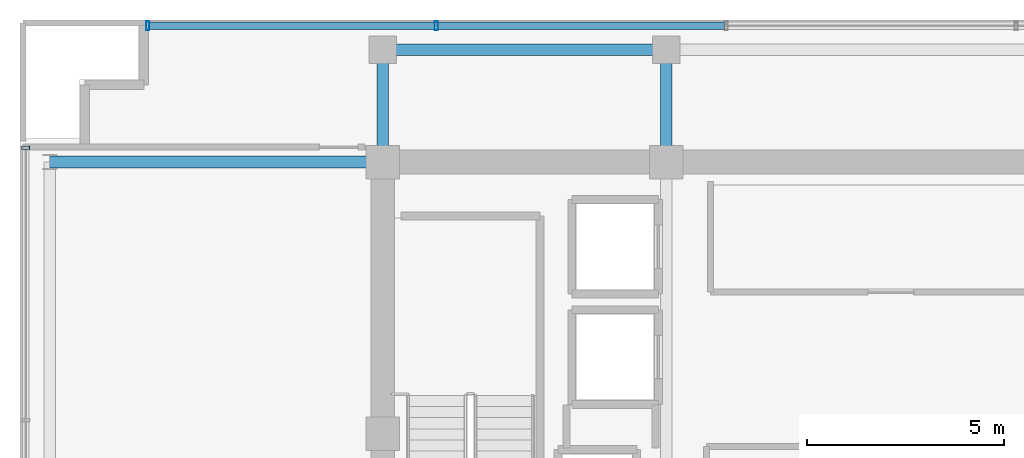
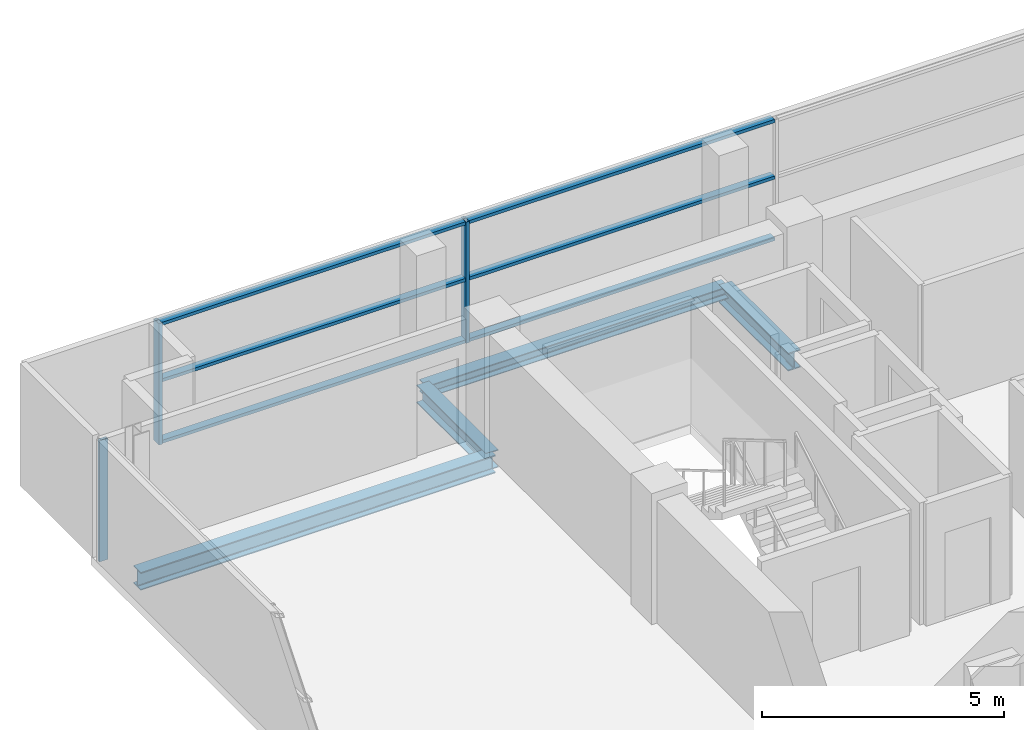
# One storey, part 12 of 23: 9 members, 4 beams, 2 elements without a shape of their own.
"""IFC4 building model written with IfcOpenShell, lengths in metres."""

from ifc_helpers import new_model, si_unit, direction, frame, origin, origin_2d, place, context, subcontext, project, spatial, hollow_rectangle, i_section, extrude, source, transform, mapped, material, layer, layer_set, material_profile, profile_set, type_object, element, aggregate, save


model = new_model("IFC4")

# Units and contexts
model_context = context("Model", 3, precision=1e-05, world=origin(), true_north=direction((0.0, 1.0)))
body_context = subcontext(model_context, "Body", "Model", "MODEL_VIEW")
ifc_project = project(units=[si_unit("LENGTHUNIT", "METRE"), si_unit("AREAUNIT", "SQUARE_METRE"), si_unit("VOLUMEUNIT", "CUBIC_METRE"), si_unit("PLANEANGLEUNIT", "RADIAN"), si_unit("MASSUNIT", "GRAM", prefix="KILO")], contexts=[model_context])

# Site, building, storey
site_placement = place(None, origin())
site = spatial("IfcSite", under=ifc_project, at=site_placement, CompositionType="ELEMENT")
building_placement = place(site_placement, origin())
building = spatial("IfcBuilding", under=site, at=building_placement, Name="Zarnakvel Exchange Tower", CompositionType="ELEMENT")
storey_placement = place(building_placement, frame((0.0, 0.0, 218.800048828125)))
storey = spatial("IfcBuildingStorey", under=building, at=storey_placement, Name="L61", CompositionType="ELEMENT", Elevation=218.800048828125)

# Beams
ifc_material_1 = material(Name="Steel S355", Category="steel")
ifc_material_profile_1 = material_profile(ifc_material_1, i_section(OverallWidth=0.300048828125, OverallDepth=0.449951171875, WebThickness=0.013916015625, FlangeThickness=0.02587890625, FilletRadius=0.027099609375, at=origin_2d()))
ifc_profile_set_1 = profile_set([ifc_material_profile_1], Name="Steel S355")
beam_type_1 = type_object("IfcBeamType", Name="G-07", PredefinedType="BEAM", material=ifc_profile_set_1)
beam_1_placement = place(storey_placement, frame((-22.85009765625, 13.5, -0.449951171875), z_axis=(1.0, 0.0, 0.0), x_axis=(0.0, 1.0, 0.0)))
element("IfcBeam", 1, at=beam_1_placement, inside=storey, type_object=beam_type_1, Name="L61 Tower E-W Frame Beam", PredefinedType="BEAM", context=body_context, shape_type="SweptSolid", body=[
    extrude(i_section(OverallWidth=0.300048828125, OverallDepth=0.449951171875, WebThickness=0.013916015625, FlangeThickness=0.02587890625, FilletRadius=0.027099609375, at=origin_2d()), origin(), (0.0, 0.0, 1.0), 8.4501953125),
])
for number, where, z_axis, x_axis, name in (
    (2, (-14.39990234375, 13.5, -0.449951171875), (0.0, 1.0, 0.0), (-1.0, 0.0, 0.0), "L61 Tower N-S Frame Beam"),
    (3, (-7.199951171875, 13.5, -0.449951171875), (0.0, 1.0, 0.0), (-1.0, 0.0, 0.0), "L61 Tower N-S Frame Beam"),
):
    element("IfcBeam", number, at=place(storey_placement, frame(where, z_axis=z_axis, x_axis=x_axis)), inside=storey, type_object=beam_type_1, Name=name, PredefinedType="BEAM", context=body_context, shape_type="SweptSolid", body=[
        extrude(i_section(OverallWidth=0.300048828125, OverallDepth=0.449951171875, WebThickness=0.013916015625, FlangeThickness=0.02587890625, FilletRadius=0.027099609375, at=origin_2d()), origin(), (0.0, 0.0, 1.0), 2.85009765625),
    ])
ifc_material_profile_2 = material_profile(ifc_material_1, i_section(OverallWidth=0.300048828125, OverallDepth=0.300048828125, WebThickness=0.010986328125, FlangeThickness=0.01904296875, FilletRadius=0.027099609375, at=origin_2d()))
ifc_profile_set_2 = profile_set([ifc_material_profile_2], Name="Steel S355")
beam_type_2 = type_object("IfcBeamType", Name="SP-03", PredefinedType="SPANDREL", material=ifc_profile_set_2)
beam_2_placement = place(storey_placement, frame((-14.39990234375, 16.35009765625, -0.375), z_axis=(1.0, 0.0, 0.0), x_axis=(0.0, 1.0, 0.0)))
element("IfcBeam", 4, at=beam_2_placement, inside=storey, type_object=beam_type_2, Name="L61 Tower E-W Frame Beam", PredefinedType="SPANDREL", context=body_context, shape_type="SweptSolid", body=[
    extrude(i_section(OverallWidth=0.300048828125, OverallDepth=0.300048828125, WebThickness=0.010986328125, FlangeThickness=0.01904296875, FilletRadius=0.027099609375, at=origin_2d()), origin(), (0.0, 0.0, 1.0), 7.199951171875),
])

# Curtain wall, member
ifc_material_2 = material(Name="Architectural Bronze Anodised Aluminium", Category="aluminium")
ifc_layer_1 = layer(ifc_material_2, 0.199951171875)
ifc_layer_set_1 = layer_set([ifc_layer_1], Name="Architectural Bronze Anodised Aluminium")
curtain_wall_type_1 = type_object("IfcCurtainWallType", Name="CW-04", PredefinedType="NOTDEFINED", material=ifc_layer_set_1)
curtain_wall_1_placement = place(storey_placement, origin())
curtain_wall_1 = element("IfcCurtainWall", 5, at=curtain_wall_1_placement, inside=storey, type_object=curtain_wall_type_1, Name="L61 Curtain Wall CW-L61-W1 (CW-04)", PredefinedType="NOTDEFINED")
ifc_material_profile_3 = material_profile(ifc_material_2, hollow_rectangle(XDim=0.199951171875, YDim=0.074951171875, WallThickness=0.0048828125, at=origin_2d()))
ifc_profile_set_3 = profile_set([ifc_material_profile_3], Name="Architectural Bronze Anodised Aluminium")
member_type_1 = type_object("IfcMemberType", Name="CWM-04", PredefinedType="MULLION", material=ifc_profile_set_3)
shared_shape_1 = source(origin(), body_context, "Body", "SweptSolid", [
    extrude(hollow_rectangle(XDim=0.199951171875, YDim=0.074951171875, WallThickness=0.0048828125, at=origin_2d()), origin(), (0.0, 0.0, 1.0), 3.054931640625),
])
member_1_placement = place(storey_placement, frame((-23.4599609375, 13.862548828125, 0.0), z_axis=(0.0, 0.0, 1.0), x_axis=(-1.0, 0.0, 0.0)))
member_1 = element("IfcMember", 6, at=member_1_placement, type_object=member_type_1, Name="CW-04 mullion 5", PredefinedType="MULLION", context=body_context, shape_type="MappedRepresentation", body=[
    mapped(shared_shape_1, transform((0.0, 0.0, 0.0), x_axis=(1.0, 0.0, 0.0), y_axis=(0.0, 1.0, 0.0), z_axis=(0.0, 0.0, 1.0), scale=1.0)),
])
aggregate(curtain_wall_1, [member_1])

# Curtain wall, members
ifc_layer_2 = layer(ifc_material_2, 0.219970703125)
ifc_layer_set_2 = layer_set([ifc_layer_2], Name="Architectural Bronze Anodised Aluminium")
curtain_wall_type_2 = type_object("IfcCurtainWallType", Name="CW-03", PredefinedType="NOTDEFINED", material=ifc_layer_set_2)
curtain_wall_2_placement = place(storey_placement, origin())
curtain_wall_2 = element("IfcCurtainWall", 7, at=curtain_wall_2_placement, inside=storey, type_object=curtain_wall_type_2, Name="L61 Curtain Wall CW-L61-N1 (CW-03)", PredefinedType="NOTDEFINED")
ifc_material_profile_4 = material_profile(ifc_material_2, hollow_rectangle(XDim=0.219970703125, YDim=0.080078125, WallThickness=0.0048828125, at=origin_2d()))
ifc_profile_set_4 = profile_set([ifc_material_profile_4], Name="Architectural Bronze Anodised Aluminium")
member_type_2 = type_object("IfcMemberType", Name="CWM-03", PredefinedType="MULLION", material=ifc_profile_set_4)
shared_shape_2 = source(origin(), body_context, "Body", "SweptSolid", [
    extrude(hollow_rectangle(XDim=0.219970703125, YDim=0.080078125, WallThickness=0.0048828125, at=origin_2d()), origin(), (0.0, 0.0, 1.0), 3.054931640625),
])
member_2_placement = place(storey_placement, frame((-20.360107421875, 16.9599609375, 0.0), z_axis=(0.0, 0.0, 1.0), x_axis=(0.0, 1.0, 0.0)))
member_2 = element("IfcMember", 8, at=member_2_placement, type_object=member_type_2, Name="CW-03 mullion 1", PredefinedType="MULLION", context=body_context, shape_type="MappedRepresentation", body=[
    mapped(shared_shape_2, transform((0.0, 0.0, 0.0), x_axis=(1.0, 0.0, 0.0), y_axis=(0.0, 1.0, 0.0), z_axis=(0.0, 0.0, 1.0), scale=1.0)),
])
member_3_placement = place(storey_placement, frame((-13.0400390625, 16.9599609375, 0.0), z_axis=(0.0, 0.0, 1.0), x_axis=(0.0, 1.0, 0.0)))
member_3 = element("IfcMember", 9, at=member_3_placement, type_object=member_type_2, Name="CW-03 mullion 2", PredefinedType="MULLION", context=body_context, shape_type="MappedRepresentation", body=[
    mapped(shared_shape_2, transform((0.0, 0.0, 0.0), x_axis=(1.0, 0.0, 0.0), y_axis=(0.0, 1.0, 0.0), z_axis=(0.0, 0.0, 1.0), scale=1.0)),
])
ifc_material_profile_5 = material_profile(ifc_material_2, hollow_rectangle(XDim=0.179931640625, YDim=0.080078125, WallThickness=0.00390625, at=origin_2d()))
ifc_profile_set_5 = profile_set([ifc_material_profile_5], Name="Architectural Bronze Anodised Aluminium")
member_type_3 = type_object("IfcMemberType", Name="CWT-03", PredefinedType="USERDEFINED", material=ifc_profile_set_5)
shared_shape_3 = source(origin(), body_context, "Body", "SweptSolid", [
    extrude(hollow_rectangle(XDim=0.179931640625, YDim=0.080078125, WallThickness=0.00390625, at=origin_2d()), origin(), (0.0, 0.0, 1.0), 7.239990234375),
])
member_4_placement = place(storey_placement, frame((-20.320068359375, 16.9599609375, 0.0400390625), z_axis=(1.0, 0.0, 0.0), x_axis=(0.0, 1.0, 0.0)))
member_4 = element("IfcMember", 10, at=member_4_placement, type_object=member_type_3, Name="CW-03 transom 1.1", ObjectType="TRANSOM", PredefinedType="USERDEFINED", context=body_context, shape_type="MappedRepresentation", body=[
    mapped(shared_shape_3, transform((0.0, 0.0, 0.0), x_axis=(1.0, 0.0, 0.0), y_axis=(0.0, 1.0, 0.0), z_axis=(0.0, 0.0, 1.0), scale=1.0)),
])
member_5_placement = place(storey_placement, frame((-20.320068359375, 16.9599609375, 1.588623046875), z_axis=(1.0, 0.0, 0.0), x_axis=(0.0, 1.0, 0.0)))
member_5 = element("IfcMember", 11, at=member_5_placement, type_object=member_type_3, Name="CW-03 transom 1.2", ObjectType="TRANSOM", PredefinedType="USERDEFINED", context=body_context, shape_type="MappedRepresentation", body=[
    mapped(shared_shape_3, transform((0.0, 0.0, 0.0), x_axis=(1.0, 0.0, 0.0), y_axis=(0.0, 1.0, 0.0), z_axis=(0.0, 0.0, 1.0), scale=1.0)),
])
member_6_placement = place(storey_placement, frame((-20.320068359375, 16.9599609375, 3.014892578125), z_axis=(1.0, 0.0, 0.0), x_axis=(0.0, 1.0, 0.0)))
member_6 = element("IfcMember", 12, at=member_6_placement, type_object=member_type_3, Name="CW-03 transom 1.3", ObjectType="TRANSOM", PredefinedType="USERDEFINED", context=body_context, shape_type="MappedRepresentation", body=[
    mapped(shared_shape_3, transform((0.0, 0.0, 0.0), x_axis=(1.0, 0.0, 0.0), y_axis=(0.0, 1.0, 0.0), z_axis=(0.0, 0.0, 1.0), scale=1.0)),
])
shared_shape_4 = source(origin(), body_context, "Body", "SweptSolid", [
    extrude(hollow_rectangle(XDim=0.179931640625, YDim=0.080078125, WallThickness=0.00390625, at=origin_2d()), origin(), (0.0, 0.0, 1.0), 7.280029296875),
])
member_7_placement = place(storey_placement, frame((-13.0, 16.9599609375, 0.0400390625), z_axis=(1.0, 0.0, 0.0), x_axis=(0.0, 1.0, 0.0)))
member_7 = element("IfcMember", 13, at=member_7_placement, type_object=member_type_3, Name="CW-03 transom 2.1", ObjectType="TRANSOM", PredefinedType="USERDEFINED", context=body_context, shape_type="MappedRepresentation", body=[
    mapped(shared_shape_4, transform((0.0, 0.0, 0.0), x_axis=(1.0, 0.0, 0.0), y_axis=(0.0, 1.0, 0.0), z_axis=(0.0, 0.0, 1.0), scale=1.0)),
])
member_8_placement = place(storey_placement, frame((-13.0, 16.9599609375, 1.588623046875), z_axis=(1.0, 0.0, 0.0), x_axis=(0.0, 1.0, 0.0)))
member_8 = element("IfcMember", 14, at=member_8_placement, type_object=member_type_3, Name="CW-03 transom 2.2", ObjectType="TRANSOM", PredefinedType="USERDEFINED", context=body_context, shape_type="MappedRepresentation", body=[
    mapped(shared_shape_4, transform((0.0, 0.0, 0.0), x_axis=(1.0, 0.0, 0.0), y_axis=(0.0, 1.0, 0.0), z_axis=(0.0, 0.0, 1.0), scale=1.0)),
])
member_9_placement = place(storey_placement, frame((-13.0, 16.9599609375, 3.014892578125), z_axis=(1.0, 0.0, 0.0), x_axis=(0.0, 1.0, 0.0)))
member_9 = element("IfcMember", 15, at=member_9_placement, type_object=member_type_3, Name="CW-03 transom 2.3", ObjectType="TRANSOM", PredefinedType="USERDEFINED", context=body_context, shape_type="MappedRepresentation", body=[
    mapped(shared_shape_4, transform((0.0, 0.0, 0.0), x_axis=(1.0, 0.0, 0.0), y_axis=(0.0, 1.0, 0.0), z_axis=(0.0, 0.0, 1.0), scale=1.0)),
])
aggregate(curtain_wall_2, [member_2, member_3, member_4, member_5, member_6, member_7, member_8, member_9])

save(model, "model.ifc")
